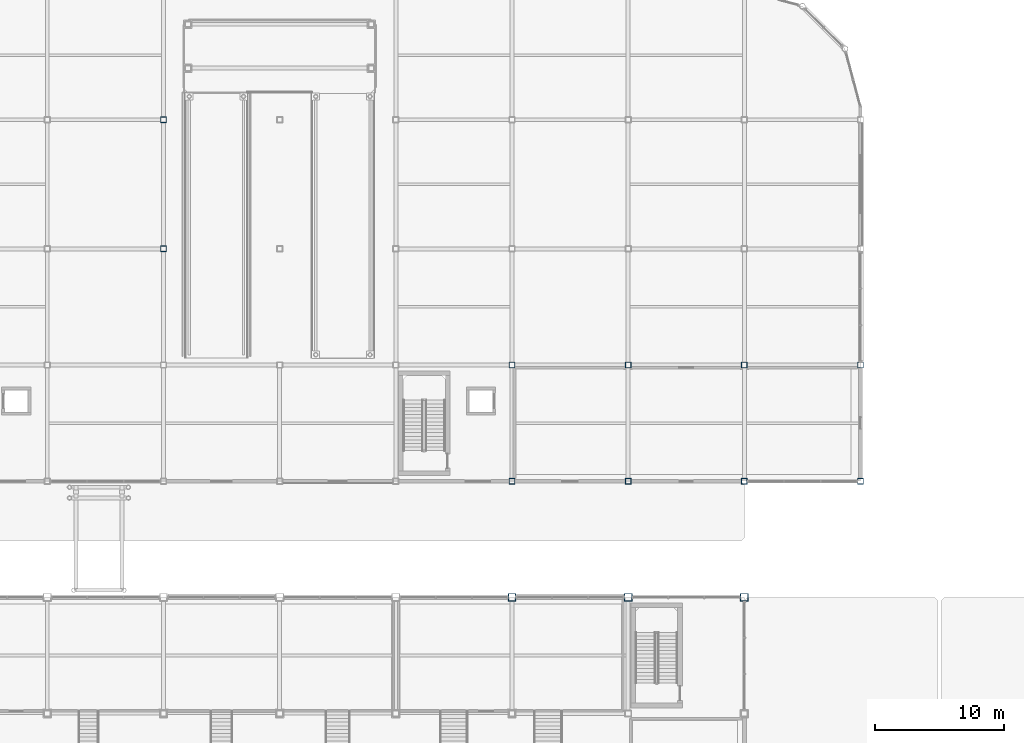
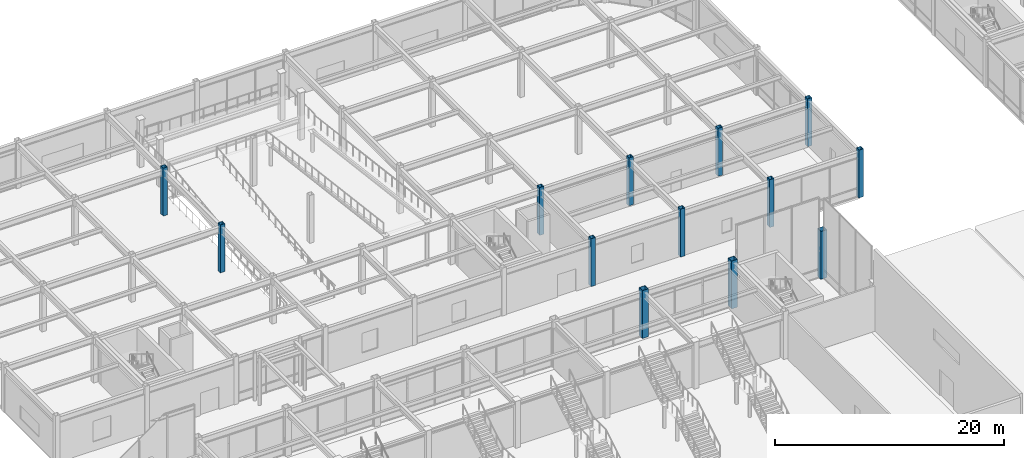
# One storey, part 19 of 123: 13 columns.
"""IFC4 building model written with IfcOpenShell, lengths in metres."""

from ifc_helpers import new_model, si_unit, direction, frame, origin, origin_2d, place, context, subcontext, project, spatial, hollow_rectangle, extrude, material, material_profile, profile_set, type_object, element, save


model = new_model("IFC4")

# Units and contexts
model_context = context("Model", 3, precision=1e-05, world=origin(), true_north=direction((0.0, 1.0)))
body_context = subcontext(model_context, "Body", "Model", "MODEL_VIEW")
ifc_project = project(units=[si_unit("LENGTHUNIT", "METRE"), si_unit("AREAUNIT", "SQUARE_METRE"), si_unit("VOLUMEUNIT", "CUBIC_METRE"), si_unit("PLANEANGLEUNIT", "RADIAN"), si_unit("MASSUNIT", "GRAM", prefix="KILO")], contexts=[model_context])

# Site, building, storey
site_placement = place(None, origin())
site = spatial("IfcSite", under=ifc_project, at=site_placement, CompositionType="ELEMENT")
building_placement = place(site_placement, origin())
building = spatial("IfcBuilding", under=site, at=building_placement, Name="Suzunagisa Mobility Hub", CompositionType="ELEMENT")
storey_placement = place(building_placement, origin())
storey = spatial("IfcBuildingStorey", under=building, at=storey_placement, Name="L00", CompositionType="ELEMENT", Elevation=0.0)

# Columns
ifc_material = material(Name="Steel SN490B", Category="steel")
ifc_material_profile_1 = material_profile(ifc_material, hollow_rectangle(XDim=0.60009765625, YDim=0.60009765625, WallThickness=0.031982421875, at=origin_2d()), Name="BOX-600x600x32")
ifc_profile_set_1 = profile_set([ifc_material_profile_1], Name="Steel SN490B")
column_type_1 = type_object("IfcColumnType", Name="Steel Column CL-05 BOX-600x600x32", PredefinedType="COLUMN", material=ifc_profile_set_1)
for number, where, z_axis, x_axis, name in (
    (1, (99.0, 71.0, 0.0), (0.0, 0.0, 1.0), (1.0, 0.0, 0.0), "L00 Column 194"),
    (2, (108.0, 71.0, 0.0), (0.0, 0.0, 1.0), (1.0, 0.0, 0.0), "L00 Column 203"),
    (3, (117.0, 71.0, 0.0), (0.0, 0.0, 1.0), (1.0, 0.0, 0.0), "L00 Column 214"),
):
    element("IfcColumn", number, at=place(storey_placement, frame(where, z_axis=z_axis, x_axis=x_axis)), inside=storey, type_object=column_type_1, Name=name, PredefinedType="COLUMN", context=body_context, shape_type="SweptSolid", body=[
        extrude(hollow_rectangle(XDim=0.60009765625, YDim=0.60009765625, WallThickness=0.031982421875, at=origin_2d()), origin(), (0.0, 0.0, 1.0), 5.10009765625),
    ])
ifc_material_profile_2 = material_profile(ifc_material, hollow_rectangle(XDim=0.449951171875, YDim=0.449951171875, WallThickness=0.02197265625, at=origin_2d()), Name="BCR-450x450x22")
ifc_profile_set_2 = profile_set([ifc_material_profile_2], Name="Steel SN490B")
column_type_2 = type_object("IfcColumnType", Name="Steel Column CL-17 BCR-450x450x22", PredefinedType="COLUMN", material=ifc_profile_set_2)
for number, where, z_axis, x_axis, name in (
    (4, (72.0, 98.0, 0.0), (0.0, 0.0, 1.0), (1.0, 0.0, 0.0), "L00 Column 156"),
    (5, (72.0, 108.0, 0.0), (0.0, 0.0, 1.0), (1.0, 0.0, 0.0), "L00 Column 157"),
    (6, (99.0, 80.0, 0.0), (0.0, 0.0, 1.0), (1.0, 0.0, 0.0), "L00 Column 195"),
    (7, (99.0, 89.0, 0.0), (0.0, 0.0, 1.0), (1.0, 0.0, 0.0), "L00 Column 196"),
    (8, (108.0, 80.0, 0.0), (0.0, 0.0, 1.0), (1.0, 0.0, 0.0), "L00 Column 204"),
    (9, (108.0, 89.0, 0.0), (0.0, 0.0, 1.0), (1.0, 0.0, 0.0), "L00 Column 205"),
    (10, (117.0, 80.0, 0.0), (0.0, 0.0, 1.0), (1.0, 0.0, 0.0), "L00 Column 215"),
    (11, (117.0, 89.0, 0.0), (0.0, 0.0, 1.0), (1.0, 0.0, 0.0), "L00 Column 216"),
    (12, (126.0, 80.0, 0.0), (0.0, 0.0, 1.0), (1.0, 0.0, 0.0), "L00 Column 233"),
    (13, (126.0, 89.0, 0.0), (0.0, 0.0, 1.0), (1.0, 0.0, 0.0), "L00 Column 234"),
):
    element("IfcColumn", number, at=place(storey_placement, frame(where, z_axis=z_axis, x_axis=x_axis)), inside=storey, type_object=column_type_2, Name=name, PredefinedType="COLUMN", context=body_context, shape_type="SweptSolid", body=[
        extrude(hollow_rectangle(XDim=0.449951171875, YDim=0.449951171875, WallThickness=0.02197265625, at=origin_2d()), origin(), (0.0, 0.0, 1.0), 5.10009765625),
    ])

save(model, "model.ifc")
